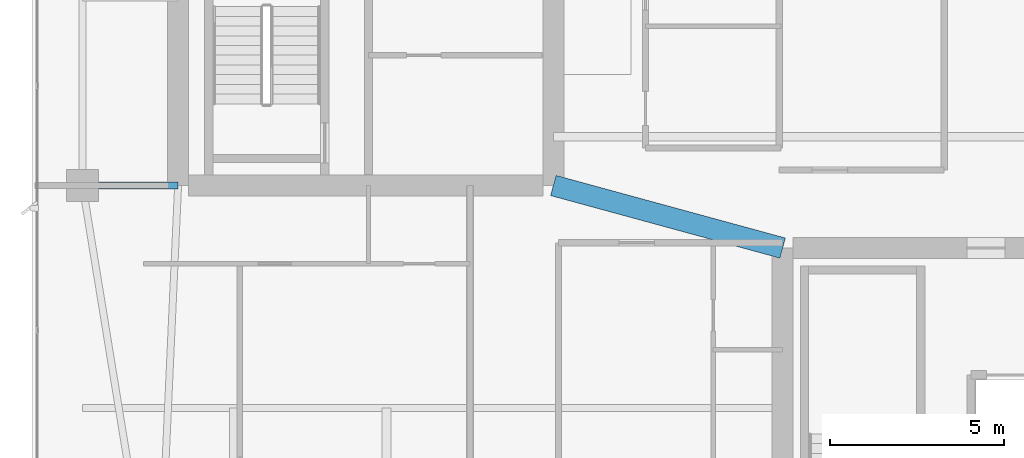
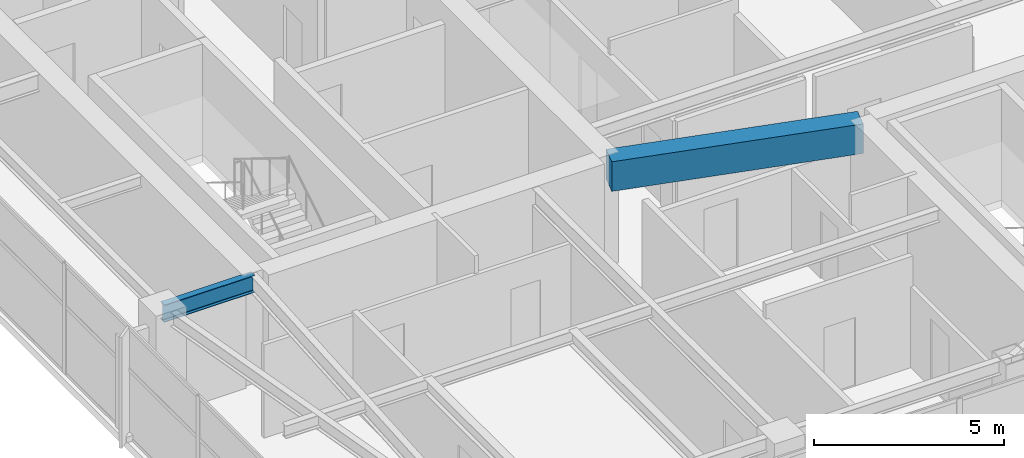
# One storey, part 9 of 27: 2 beams.
"""IFC4 building model written with IfcOpenShell, lengths in metres."""

from ifc_helpers import new_model, si_unit, direction, frame, origin, origin_2d, place, context, subcontext, project, spatial, rectangle, i_section, extrude, material, material_profile, profile_set, type_object, element, save


model = new_model("IFC4")

# Units and contexts
model_context = context("Model", 3, precision=1e-05, world=origin(), true_north=direction((0.0, 1.0)))
body_context = subcontext(model_context, "Body", "Model", "MODEL_VIEW")
ifc_project = project(units=[si_unit("LENGTHUNIT", "METRE"), si_unit("AREAUNIT", "SQUARE_METRE"), si_unit("VOLUMEUNIT", "CUBIC_METRE"), si_unit("PLANEANGLEUNIT", "RADIAN"), si_unit("MASSUNIT", "GRAM", prefix="KILO")], contexts=[model_context])

# Site, building, storey
site_placement = place(None, origin())
site = spatial("IfcSite", under=ifc_project, at=site_placement, CompositionType="ELEMENT")
building_placement = place(site_placement, origin())
building = spatial("IfcBuilding", under=site, at=building_placement, Name="Calvorn Quay Hotel", CompositionType="ELEMENT")
storey_placement = place(building_placement, frame((0.0, 0.0, 291.10009765625)))
storey = spatial("IfcBuildingStorey", under=building, at=storey_placement, Name="L72", CompositionType="ELEMENT", Elevation=291.10009765625)

# Beams
ifc_material_1 = material(Name="Steel Q355B", Category="steel")
ifc_material_profile_1 = material_profile(ifc_material_1, i_section(OverallWidth=0.199951171875, OverallDepth=0.550048828125, WebThickness=0.010009765625, FlangeThickness=0.01611328125, FilletRadius=0.01806640625, at=origin_2d()), Name="HN550x200x10x16")
ifc_profile_set_1 = profile_set([ifc_material_profile_1], Name="Steel Q355B")
beam_type_1 = type_object("IfcBeamType", Name="BM-GIRD-UPP", PredefinedType="BEAM", material=ifc_profile_set_1)
beam_1_placement = place(storey_placement, frame((1.449951171875, 16.800048828125, 3.264892578125), z_axis=(1.0, 0.0, 0.0), x_axis=(0.0, 1.0, 0.0)))
element("IfcBeam", 1, at=beam_1_placement, inside=storey, type_object=beam_type_1, Name="Beam BG-L72-W1", PredefinedType="BEAM", context=body_context, shape_type="SweptSolid", body=[
    extrude(i_section(OverallWidth=0.199951171875, OverallDepth=0.550048828125, WebThickness=0.010009765625, FlangeThickness=0.01611328125, FilletRadius=0.01806640625, at=origin_2d()), origin(), (0.0, 0.0, 1.0), 2.75),
])
ifc_material_2 = material(Name="Concrete C45", Category="concrete")
ifc_material_profile_2 = material_profile(ifc_material_2, rectangle(XDim=0.60009765625, YDim=0.949951171875, at=origin_2d()), Name="RCB600x950")
ifc_profile_set_2 = profile_set([ifc_material_profile_2], Name="Concrete C45")
beam_type_2 = type_object("IfcBeamType", Name="BM-RC-LINK-600x950", PredefinedType="BEAM", material=ifc_profile_set_2)
beam_2_placement = place(storey_placement, frame((15.0, 16.800048828125, 3.06494140625), z_axis=(0.964762997686, -0.263120425462, 0.0), x_axis=(0.263120425462, 0.964762997686, 0.0)))
element("IfcBeam", 2, at=beam_2_placement, inside=storey, type_object=beam_type_2, Name="Beam BCL-L72-01", PredefinedType="BEAM", context=body_context, shape_type="SweptSolid", body=[
    extrude(rectangle(XDim=0.60009765625, YDim=0.949951171875, at=origin_2d()), origin(), (0.0, 0.0, 1.0), 6.841064453125),
])

save(model, "model.ifc")
